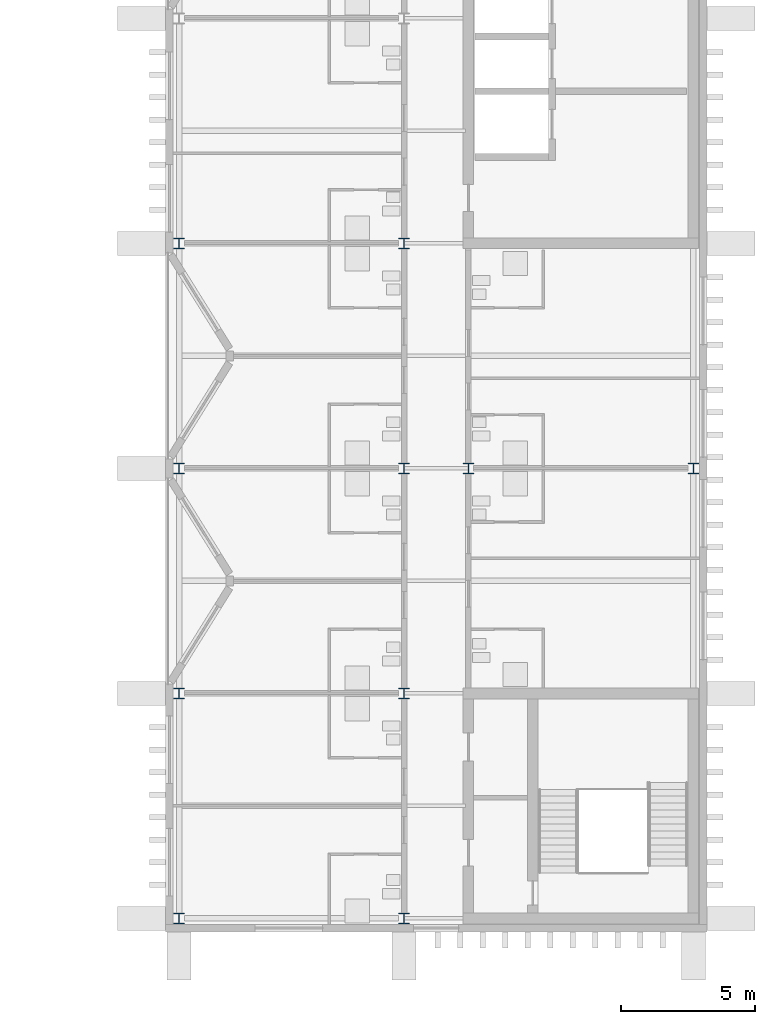
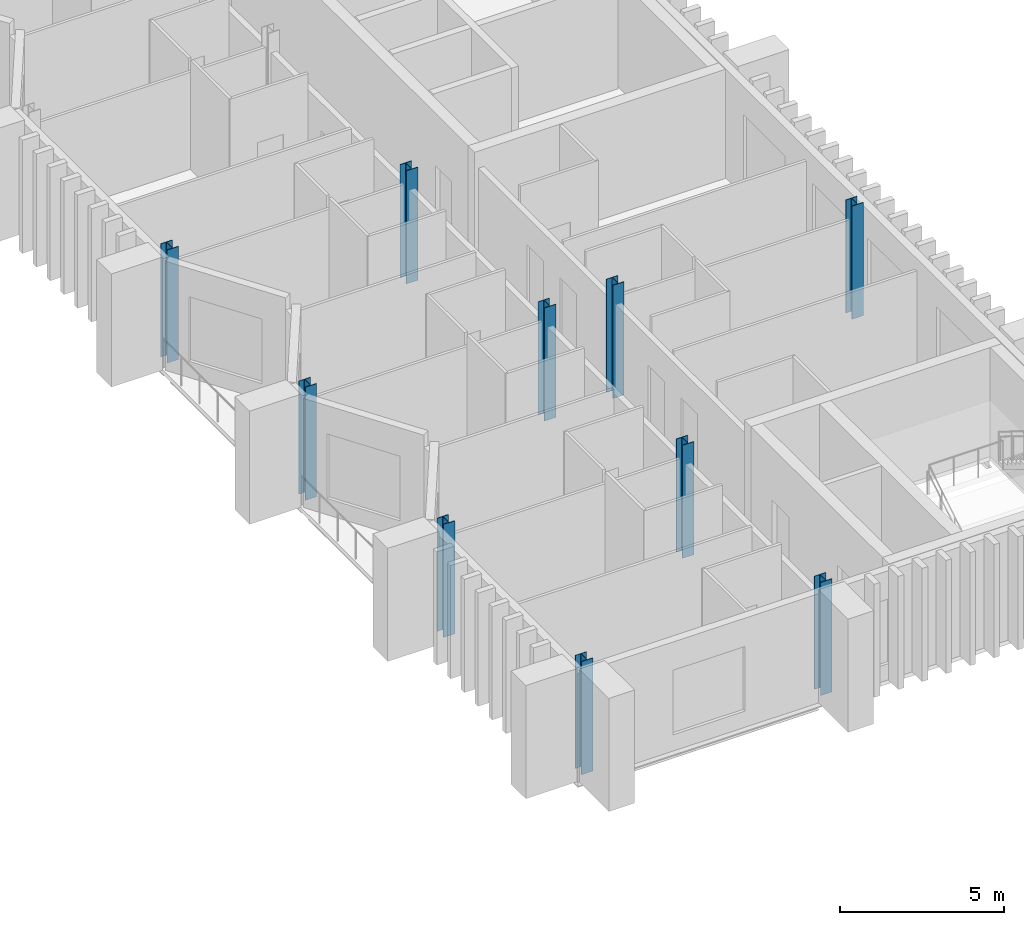
# One storey, part 2 of 18: 10 columns.
"""IFC4 building model written with IfcOpenShell, lengths in metres."""

from ifc_helpers import new_model, si_unit, direction, frame, origin, origin_2d, place, context, subcontext, project, spatial, i_section, extrude, material, material_profile, profile_set, type_object, element, save


model = new_model("IFC4")

# Units and contexts
model_context = context("Model", 3, precision=1e-05, world=origin(), true_north=direction((0.0, 1.0)))
body_context = subcontext(model_context, "Body", "Model", "MODEL_VIEW")
ifc_project = project(units=[si_unit("LENGTHUNIT", "METRE"), si_unit("AREAUNIT", "SQUARE_METRE"), si_unit("VOLUMEUNIT", "CUBIC_METRE"), si_unit("PLANEANGLEUNIT", "RADIAN"), si_unit("MASSUNIT", "GRAM", prefix="KILO")], contexts=[model_context])

# Site, building, storey
site_placement = place(None, origin())
site = spatial("IfcSite", under=ifc_project, at=site_placement, CompositionType="ELEMENT")
building_placement = place(site_placement, origin())
building = spatial("IfcBuilding", under=site, at=building_placement, Name="Cresset Court Congress Hotel", CompositionType="ELEMENT")
storey_placement = place(building_placement, frame((0.0, 0.0, 35.39990234375)))
storey = spatial("IfcBuildingStorey", under=building, at=storey_placement, Name="L08", CompositionType="ELEMENT", Elevation=35.39990234375)

# Columns
ifc_material = material(Name="Structural steel Q355B", Category="steel")
ifc_material_profile = material_profile(ifc_material, i_section(OverallWidth=0.39990234375, OverallDepth=0.39990234375, WebThickness=0.012939453125, FlangeThickness=0.02099609375, FilletRadius=0.02197265625, at=origin_2d()), Name="HW400x400x13x21")
ifc_profile_set = profile_set([ifc_material_profile], Name="Structural steel Q355B")
column_type = type_object("IfcColumnType", Name="Steel column HW400x400x13x21", PredefinedType="COLUMN", material=ifc_profile_set)
for number, where, z_axis, x_axis, name in (
    (1, (157.199951171875, 0.0, 0.0), (0.0, 0.0, 1.0), (1.0, 0.0, 0.0), "Column L08 1-20"),
    (2, (157.199951171875, 8.39990234375, 0.0), (0.0, 0.0, 1.0), (1.0, 0.0, 0.0), "Column L08 2-20"),
    (3, (157.199951171875, 16.800048828125, 0.0), (0.0, 0.0, 1.0), (1.0, 0.0, 0.0), "Column L08 3-20"),
    (4, (157.199951171875, 25.199951171875, 0.0), (0.0, 0.0, 1.0), (1.0, 0.0, 0.0), "Column L08 4-20"),
    (5, (165.60009765625, 0.0, 0.0), (0.0, 0.0, 1.0), (1.0, 0.0, 0.0), "Column L08 1-21"),
    (6, (165.60009765625, 8.39990234375, 0.0), (0.0, 0.0, 1.0), (1.0, 0.0, 0.0), "Column L08 2-21"),
    (7, (165.60009765625, 16.800048828125, 0.0), (0.0, 0.0, 1.0), (1.0, 0.0, 0.0), "Column L08 3-21"),
    (8, (165.60009765625, 25.199951171875, 0.0), (0.0, 0.0, 1.0), (1.0, 0.0, 0.0), "Column L08 4-21"),
    (9, (168.0, 16.800048828125, 0.0), (0.0, 0.0, 1.0), (1.0, 0.0, 0.0), "Column L08 3-22"),
    (10, (176.39990234375, 16.800048828125, 0.0), (0.0, 0.0, 1.0), (1.0, 0.0, 0.0), "Column L08 3-23"),
):
    element("IfcColumn", number, at=place(storey_placement, frame(where, z_axis=z_axis, x_axis=x_axis)), inside=storey, type_object=column_type, Name=name, PredefinedType="COLUMN", context=body_context, shape_type="SweptSolid", body=[
        extrude(i_section(OverallWidth=0.39990234375, OverallDepth=0.39990234375, WebThickness=0.012939453125, FlangeThickness=0.02099609375, FilletRadius=0.02197265625, at=origin_2d()), origin(), (0.0, 0.0, 1.0), 4.2001953125),
    ])

save(model, "model.ifc")
